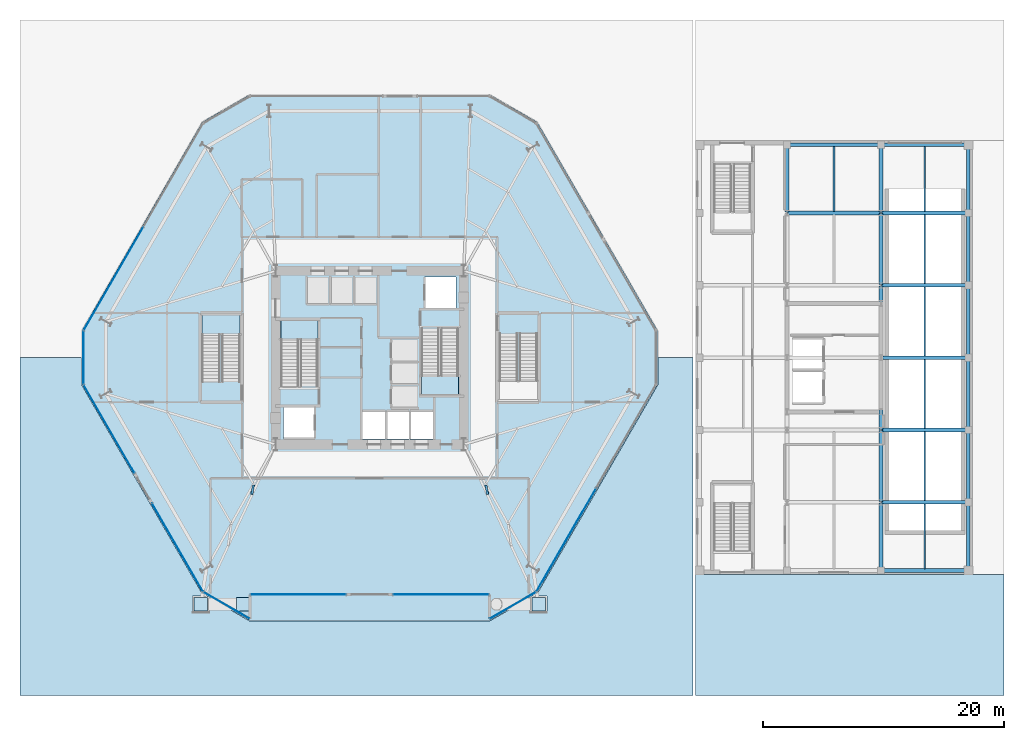
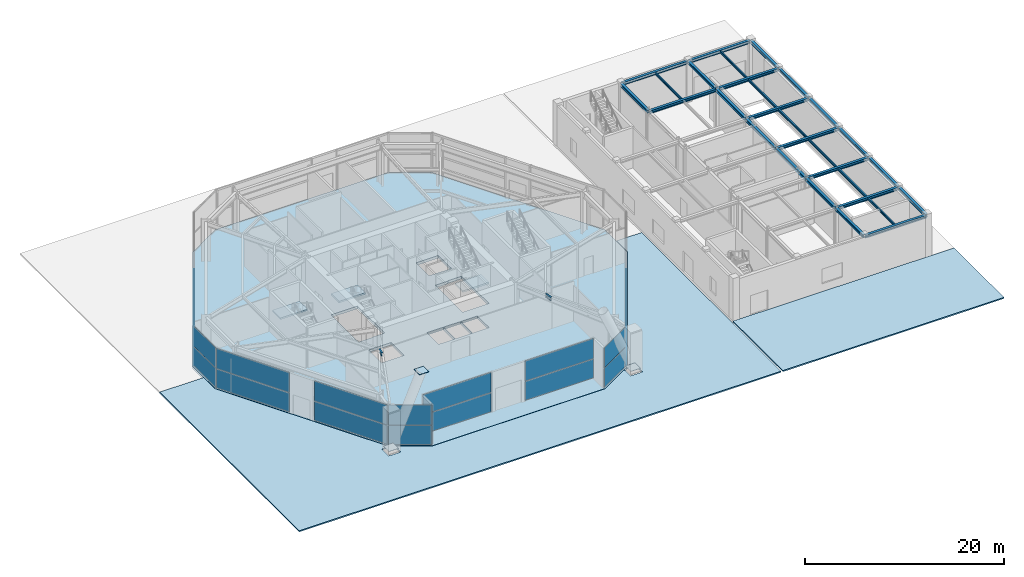
# One storey, part 15 of 26: 31 beams, 21 plates, 6 slabs, 12 elements without a shape of their own.
"""IFC4 building model written with IfcOpenShell, lengths in metres."""

from ifc_helpers import new_model, si_unit, direction, frame, origin, origin_2d, place, context, subcontext, project, spatial, polyline, rectangle, i_section, outline, extrude, material, layer, layer_set, material_profile, profile_set, type_object, element, aggregate, save


model = new_model("IFC4")

# Units and contexts
model_context = context("Model", 3, precision=1e-05, world=origin(), true_north=direction((0.0, 1.0)))
body_context = subcontext(model_context, "Body", "Model", "MODEL_VIEW")
ifc_project = project(units=[si_unit("LENGTHUNIT", "METRE"), si_unit("AREAUNIT", "SQUARE_METRE"), si_unit("VOLUMEUNIT", "CUBIC_METRE"), si_unit("PLANEANGLEUNIT", "RADIAN"), si_unit("MASSUNIT", "GRAM", prefix="KILO")], contexts=[model_context])

# Site, building, storey
site_placement = place(None, origin())
site = spatial("IfcSite", under=ifc_project, at=site_placement, CompositionType="ELEMENT")
building_placement = place(site_placement, origin())
building = spatial("IfcBuilding", under=site, at=building_placement, Name="Kranzbogen Civic Tower", CompositionType="ELEMENT")
storey_placement = place(building_placement, origin())
storey = spatial("IfcBuildingStorey", under=building, at=storey_placement, Name="L00", CompositionType="ELEMENT", Elevation=0.0)

# Beams
ifc_material_1 = material(Name="Steel S355", Category="steel")
ifc_material_profile_1 = material_profile(ifc_material_1, i_section(OverallWidth=0.300048828125, OverallDepth=0.360107421875, WebThickness=0.012451171875, FlangeThickness=0.0224609375, at=origin_2d()), Name="HEB 360")
ifc_profile_set_1 = profile_set([ifc_material_profile_1], Name="Steel S355")
beam_type_1 = type_object("IfcBeamType", Name="Health Centre Primary Floor Beam HEB 360", PredefinedType="BEAM", material=ifc_profile_set_1)
for number, where, z_axis, x_axis, name in (
    (1, (67.4599609375, 7.35009765625, 4.760009765625), (1.0, 0.0, 0.0), (0.0, 1.0, 0.0), "L00 Health Centre X girder 3-1"),
    (2, (67.4599609375, 13.0, 4.760009765625), (1.0, 0.0, 0.0), (0.0, 1.0, 0.0), "L00 Health Centre X girder 3-2"),
    (3, (67.4599609375, 19.0, 4.760009765625), (1.0, 0.0, 0.0), (0.0, 1.0, 0.0), "L00 Health Centre X girder 3-3"),
    (4, (67.4599609375, 25.0, 4.760009765625), (1.0, 0.0, 0.0), (0.0, 1.0, 0.0), "L00 Health Centre X girder 3-4"),
    (5, (67.4599609375, 31.0, 4.760009765625), (1.0, 0.0, 0.0), (0.0, 1.0, 0.0), "L00 Health Centre X girder 3-5"),
):
    element("IfcBeam", number, at=place(storey_placement, frame(where, z_axis=z_axis, x_axis=x_axis)), inside=storey, type_object=beam_type_1, Name=name, PredefinedType="BEAM", context=body_context, shape_type="SweptSolid", body=[
        extrude(i_section(OverallWidth=0.300048828125, OverallDepth=0.360107421875, WebThickness=0.012451171875, FlangeThickness=0.0224609375, at=origin_2d()), origin(), (0.0, 0.0, 1.0), 7.130126953125),
    ])
beam_1_placement = place(storey_placement, frame((59.659912109375, 37.0, 4.760009765625), z_axis=(1.0, 0.0, 0.0), x_axis=(0.0, 1.0, 0.0)))
element("IfcBeam", 6, at=beam_1_placement, inside=storey, type_object=beam_type_1, Name="L00 Health Centre X girder 2-6", PredefinedType="BEAM", context=body_context, shape_type="SweptSolid", body=[
    extrude(i_section(OverallWidth=0.300048828125, OverallDepth=0.360107421875, WebThickness=0.012451171875, FlangeThickness=0.0224609375, at=origin_2d()), origin(), (0.0, 0.0, 1.0), 7.68017578125),
])
beam_2_placement = place(storey_placement, frame((67.4599609375, 37.0, 4.760009765625), z_axis=(1.0, 0.0, 0.0), x_axis=(0.0, 1.0, 0.0)))
element("IfcBeam", 7, at=beam_2_placement, inside=storey, type_object=beam_type_1, Name="L00 Health Centre X girder 3-6", PredefinedType="BEAM", context=body_context, shape_type="SweptSolid", body=[
    extrude(i_section(OverallWidth=0.300048828125, OverallDepth=0.360107421875, WebThickness=0.012451171875, FlangeThickness=0.0224609375, at=origin_2d()), origin(), (0.0, 0.0, 1.0), 7.130126953125),
])
beam_3_placement = place(storey_placement, frame((59.659912109375, 42.64990234375, 4.760009765625), z_axis=(1.0, 0.0, 0.0), x_axis=(0.0, 1.0, 0.0)))
element("IfcBeam", 8, at=beam_3_placement, inside=storey, type_object=beam_type_1, Name="L00 Health Centre X girder 2-7", PredefinedType="BEAM", context=body_context, shape_type="SweptSolid", body=[
    extrude(i_section(OverallWidth=0.300048828125, OverallDepth=0.360107421875, WebThickness=0.012451171875, FlangeThickness=0.0224609375, at=origin_2d()), origin(), (0.0, 0.0, 1.0), 7.68017578125),
])
beam_4_placement = place(storey_placement, frame((67.4599609375, 42.64990234375, 4.760009765625), z_axis=(1.0, 0.0, 0.0), x_axis=(0.0, 1.0, 0.0)))
element("IfcBeam", 9, at=beam_4_placement, inside=storey, type_object=beam_type_1, Name="L00 Health Centre X girder 3-7", PredefinedType="BEAM", context=body_context, shape_type="SweptSolid", body=[
    extrude(i_section(OverallWidth=0.300048828125, OverallDepth=0.360107421875, WebThickness=0.012451171875, FlangeThickness=0.0224609375, at=origin_2d()), origin(), (0.0, 0.0, 1.0), 7.130126953125),
])
for number, where, z_axis, x_axis, name in (
    (10, (67.39990234375, 7.409912109375, 4.760009765625), (0.0, 1.0, 0.0), (-1.0, 0.0, 0.0), "L00 Health Centre Y girder 3-1"),
    (11, (74.64990234375, 7.409912109375, 4.760009765625), (0.0, 1.0, 0.0), (-1.0, 0.0, 0.0), "L00 Health Centre Y girder 4-1"),
):
    element("IfcBeam", number, at=place(storey_placement, frame(where, z_axis=z_axis, x_axis=x_axis)), inside=storey, type_object=beam_type_1, Name=name, PredefinedType="BEAM", context=body_context, shape_type="SweptSolid", body=[
        extrude(i_section(OverallWidth=0.300048828125, OverallDepth=0.360107421875, WebThickness=0.012451171875, FlangeThickness=0.0224609375, at=origin_2d()), origin(), (0.0, 0.0, 1.0), 5.530029296875),
    ])
for number, where, z_axis, x_axis, name in (
    (12, (67.39990234375, 13.06005859375, 4.760009765625), (0.0, 1.0, 0.0), (-1.0, 0.0, 0.0), "L00 Health Centre Y girder 3-2"),
    (13, (74.64990234375, 13.06005859375, 4.760009765625), (0.0, 1.0, 0.0), (-1.0, 0.0, 0.0), "L00 Health Centre Y girder 4-2"),
    (14, (67.39990234375, 19.06005859375, 4.760009765625), (0.0, 1.0, 0.0), (-1.0, 0.0, 0.0), "L00 Health Centre Y girder 3-3"),
    (15, (74.64990234375, 19.06005859375, 4.760009765625), (0.0, 1.0, 0.0), (-1.0, 0.0, 0.0), "L00 Health Centre Y girder 4-3"),
    (16, (67.39990234375, 25.06005859375, 4.760009765625), (0.0, 1.0, 0.0), (-1.0, 0.0, 0.0), "L00 Health Centre Y girder 3-4"),
    (17, (74.64990234375, 25.06005859375, 4.760009765625), (0.0, 1.0, 0.0), (-1.0, 0.0, 0.0), "L00 Health Centre Y girder 4-4"),
    (18, (67.39990234375, 31.06005859375, 4.760009765625), (0.0, 1.0, 0.0), (-1.0, 0.0, 0.0), "L00 Health Centre Y girder 3-5"),
    (19, (74.64990234375, 31.06005859375, 4.760009765625), (0.0, 1.0, 0.0), (-1.0, 0.0, 0.0), "L00 Health Centre Y girder 4-5"),
):
    element("IfcBeam", number, at=place(storey_placement, frame(where, z_axis=z_axis, x_axis=x_axis)), inside=storey, type_object=beam_type_1, Name=name, PredefinedType="BEAM", context=body_context, shape_type="SweptSolid", body=[
        extrude(i_section(OverallWidth=0.300048828125, OverallDepth=0.360107421875, WebThickness=0.012451171875, FlangeThickness=0.0224609375, at=origin_2d()), origin(), (0.0, 0.0, 1.0), 5.8798828125),
    ])
for number, where, z_axis, x_axis, name in (
    (20, (59.60009765625, 37.06005859375, 4.760009765625), (0.0, 1.0, 0.0), (-1.0, 0.0, 0.0), "L00 Health Centre Y girder 2-6"),
    (21, (67.39990234375, 37.06005859375, 4.760009765625), (0.0, 1.0, 0.0), (-1.0, 0.0, 0.0), "L00 Health Centre Y girder 3-6"),
    (22, (74.64990234375, 37.06005859375, 4.760009765625), (0.0, 1.0, 0.0), (-1.0, 0.0, 0.0), "L00 Health Centre Y girder 4-6"),
):
    element("IfcBeam", number, at=place(storey_placement, frame(where, z_axis=z_axis, x_axis=x_axis)), inside=storey, type_object=beam_type_1, Name=name, PredefinedType="BEAM", context=body_context, shape_type="SweptSolid", body=[
        extrude(i_section(OverallWidth=0.300048828125, OverallDepth=0.360107421875, WebThickness=0.012451171875, FlangeThickness=0.0224609375, at=origin_2d()), origin(), (0.0, 0.0, 1.0), 5.530029296875),
    ])
ifc_material_profile_2 = material_profile(ifc_material_1, i_section(OverallWidth=0.14990234375, OverallDepth=0.300048828125, WebThickness=0.007080078125, FlangeThickness=0.0107421875, at=origin_2d()), Name="IPE 300")
ifc_profile_set_2 = profile_set([ifc_material_profile_2], Name="Steel S355")
beam_type_2 = type_object("IfcBeamType", Name="Health Centre Secondary Joist IPE 300", PredefinedType="JOIST", material=ifc_profile_set_2)
beam_5_placement = place(storey_placement, frame((71.02490234375, 7.489990234375, 4.7900390625), z_axis=(0.0, 1.0, 0.0), x_axis=(-1.0, 0.0, 0.0)))
element("IfcBeam", 23, at=beam_5_placement, inside=storey, type_object=beam_type_2, Name="L00 Health Centre secondary joist 3-1", PredefinedType="JOIST", context=body_context, shape_type="SweptSolid", body=[
    extrude(i_section(OverallWidth=0.14990234375, OverallDepth=0.300048828125, WebThickness=0.007080078125, FlangeThickness=0.0107421875, at=origin_2d()), origin(), (0.0, 0.0, 1.0), 5.3701171875),
])
for number, where, z_axis, x_axis, name in (
    (24, (71.02490234375, 13.139892578125, 4.7900390625), (0.0, 1.0, 0.0), (-1.0, 0.0, 0.0), "L00 Health Centre secondary joist 3-2"),
    (25, (71.02490234375, 19.139892578125, 4.7900390625), (0.0, 1.0, 0.0), (-1.0, 0.0, 0.0), "L00 Health Centre secondary joist 3-3"),
    (26, (71.02490234375, 25.139892578125, 4.7900390625), (0.0, 1.0, 0.0), (-1.0, 0.0, 0.0), "L00 Health Centre secondary joist 3-4"),
    (27, (71.02490234375, 31.139892578125, 4.7900390625), (0.0, 1.0, 0.0), (-1.0, 0.0, 0.0), "L00 Health Centre secondary joist 3-5"),
):
    element("IfcBeam", number, at=place(storey_placement, frame(where, z_axis=z_axis, x_axis=x_axis)), inside=storey, type_object=beam_type_2, Name=name, PredefinedType="JOIST", context=body_context, shape_type="SweptSolid", body=[
        extrude(i_section(OverallWidth=0.14990234375, OverallDepth=0.300048828125, WebThickness=0.007080078125, FlangeThickness=0.0107421875, at=origin_2d()), origin(), (0.0, 0.0, 1.0), 5.72021484375),
    ])
for number, where, z_axis, x_axis, name in (
    (28, (63.5, 37.139892578125, 4.7900390625), (0.0, 1.0, 0.0), (-1.0, 0.0, 0.0), "L00 Health Centre secondary joist 2-6"),
    (29, (71.02490234375, 37.139892578125, 4.7900390625), (0.0, 1.0, 0.0), (-1.0, 0.0, 0.0), "L00 Health Centre secondary joist 3-6"),
):
    element("IfcBeam", number, at=place(storey_placement, frame(where, z_axis=z_axis, x_axis=x_axis)), inside=storey, type_object=beam_type_2, Name=name, PredefinedType="JOIST", context=body_context, shape_type="SweptSolid", body=[
        extrude(i_section(OverallWidth=0.14990234375, OverallDepth=0.300048828125, WebThickness=0.007080078125, FlangeThickness=0.0107421875, at=origin_2d()), origin(), (0.0, 0.0, 1.0), 5.3701171875),
    ])
ifc_material_profile_3 = material_profile(ifc_material_1, i_section(OverallWidth=0.179931640625, OverallDepth=0.39990234375, WebThickness=0.008544921875, FlangeThickness=0.013427734375, at=origin_2d()), Name="IPE 400")
ifc_profile_set_3 = profile_set([ifc_material_profile_3], Name="Steel S355")
beam_type_3 = type_object("IfcBeamType", Name="Secondary Composite Floor Joist IPE 400", PredefinedType="JOIST", material=ifc_profile_set_3)
for number, where, z_axis, x_axis, name in (
    (30, (15.35400390625, 14.43603515625, 4.739990234375), (-0.156102387059, -0.987740879358, 0.0), (0.987740879358, -0.156102387059, 0.0), "L00 secondary floor joist 2.02"),
    (31, (34.77197265625, 13.638916015625, 4.739990234375), (-0.156102387059, 0.987740879358, 0.0), (-0.987740879358, -0.156102387059, 0.0), "L00 secondary floor joist 2.04"),
):
    element("IfcBeam", number, at=place(storey_placement, frame(where, z_axis=z_axis, x_axis=x_axis)), inside=storey, type_object=beam_type_3, Name=name, PredefinedType="JOIST", context=body_context, shape_type="SweptSolid", body=[
        extrude(i_section(OverallWidth=0.179931640625, OverallDepth=0.39990234375, WebThickness=0.008544921875, FlangeThickness=0.013427734375, at=origin_2d()), origin(), (0.0, 0.0, 1.0), 0.80712890625),
    ])

# Slabs
ifc_material_2 = material(Name="Precast concrete C40/50", Category="concrete")
ifc_layer_1 = layer(ifc_material_2, 0.14990234375, Name="Precast concrete C40/50")
ifc_layer_set_1 = layer_set([ifc_layer_1], Name="Precast concrete C40/50")
slab_type_1 = type_object("IfcSlabType", Name="Civic Plaza Granite Paving Slab 150 mm", PredefinedType="USERDEFINED", material=ifc_layer_set_1)
slab_1_placement = place(storey_placement, frame((0.0, 0.0, -0.14990234375)))
element("IfcSlab", 32, at=slab_1_placement, inside=storey, type_object=slab_type_1, Name="L00 South-West public civic plaza paving 1", ObjectType="PAVING", PredefinedType="USERDEFINED", context=body_context, shape_type="SweptSolid", body=[
    extrude(outline(polyline([(48.89306640625, 25.0), (48.89306640625, 22.75), (48.89306640625, 22.748046875), (48.89306640625, 22.74609375), (48.89208984375, 22.743896484375), (48.89111328125, 22.741943359375), (48.889892578125, 22.739990234375), (38.902099609375, 5.43994140625), (38.90087890625, 5.43798828125), (38.89990234375, 5.43701171875), (38.89794921875, 5.43505859375), (38.89697265625, 5.43408203125), (38.89501953125, 5.43310546875), (38.5791015625, 5.25), (39.699951171875, 5.25), (39.699951171875, 3.85009765625), (38.300048828125, 3.85009765625), (38.300048828125, 5.089111328125), (34.998046875, 3.18310546875), (34.99609375, 3.181884765625), (34.993896484375, 3.180908203125), (34.991943359375, 3.179931640625), (34.989990234375, 3.179931640625), (34.988037109375, 3.179931640625), (15.011962890625, 3.179931640625), (15.010009765625, 3.179931640625), (15.008056640625, 3.179931640625), (15.006103515625, 3.180908203125), (15.00390625, 3.181884765625), (15.001953125, 3.18310546875), (11.699951171875, 5.089111328125), (11.699951171875, 3.85009765625), (10.300048828125, 3.85009765625), (10.300048828125, 5.25), (11.4208984375, 5.25), (11.10498046875, 5.43310546875), (11.10302734375, 5.43408203125), (11.10205078125, 5.43505859375), (11.10009765625, 5.43701171875), (11.09912109375, 5.43798828125), (11.097900390625, 5.43994140625), (1.110107421875, 22.739990234375), (1.10888671875, 22.741943359375), (1.10791015625, 22.743896484375), (1.10693359375, 22.74609375), (1.10693359375, 22.748046875), (1.10693359375, 22.75), (1.10693359375, 25.0), (-4.0, 25.0), (-4.0, -3.0), (51.800048828125, -3.0), (51.800048828125, 25.0), (48.89306640625, 25.0)])), origin(), (0.0, 0.0, 1.0), 0.14990234375),
])
slab_2_placement = place(storey_placement, frame((0.0, 0.0, -0.14990234375)))
element("IfcSlab", 33, at=slab_2_placement, inside=storey, type_object=slab_type_1, Name="L00 South-East public civic plaza paving 3", ObjectType="PAVING", PredefinedType="USERDEFINED", context=body_context, shape_type="SweptSolid", body=[
    extrude(outline(polyline([(77.60009765625, -3.0), (77.60009765625, 7.0), (52.0, 7.0), (52.0, -3.0), (77.60009765625, -3.0)])), origin(), (0.0, 0.0, 1.0), 0.14990234375),
])
ifc_material_3 = material(Name="Concrete C40/50", Category="concrete")
ifc_layer_2 = layer(ifc_material_3, 0.320068359375, Name="Concrete C40/50")
ifc_layer_set_2 = layer_set([ifc_layer_2], Name="Concrete C40/50")
slab_type_2 = type_object("IfcSlabType", Name="Composite Heavy Plaza and Car Park Slab 320 mm", PredefinedType="FLOOR", material=ifc_layer_set_2)
slab_3_placement = place(storey_placement, frame((0.0, 0.0, -0.320068359375)))
element("IfcSlab", 34, at=slab_3_placement, inside=storey, type_object=slab_type_2, Name="L00 tower floor slab", PredefinedType="FLOOR", context=body_context, shape_type="SweptSolid", body=[
    extrude(outline(polyline([(48.873046875, 27.25), (38.885009765625, 44.550048828125), (34.988037109375, 46.800048828125), (15.011962890625, 46.800048828125), (11.114990234375, 44.550048828125), (1.126953125, 27.25), (1.126953125, 22.75), (11.114990234375, 5.449951171875), (15.011962890625, 3.199951171875), (34.988037109375, 3.199951171875), (38.885009765625, 5.449951171875), (48.873046875, 22.75), (48.873046875, 27.25)]), holes=[polyline([(26.300048828125, 20.60009765625), (26.300048828125, 18.25), (24.39990234375, 18.25), (24.39990234375, 20.60009765625), (26.300048828125, 20.60009765625)]), polyline([(28.27490234375, 20.60009765625), (28.27490234375, 18.25), (26.375, 18.25), (26.375, 20.60009765625), (28.27490234375, 20.60009765625)]), polyline([(30.25, 20.60009765625), (30.25, 18.25), (28.35009765625, 18.25), (28.35009765625, 20.60009765625), (30.25, 20.60009765625)]), polyline([(20.449951171875, 18.300048828125), (17.85009765625, 18.300048828125), (17.85009765625, 20.89990234375), (20.449951171875, 20.89990234375), (20.449951171875, 18.300048828125)]), polyline([(30.75, 27.340087890625), (30.75, 27.39990234375), (32.35009765625, 27.39990234375), (32.35009765625, 21.89990234375), (29.300048828125, 21.89990234375), (29.300048828125, 27.340087890625), (30.75, 27.340087890625)]), polyline([(20.699951171875, 22.659912109375), (19.25, 22.659912109375), (19.25, 22.60009765625), (17.64990234375, 22.60009765625), (17.64990234375, 28.10009765625), (20.699951171875, 28.10009765625), (20.699951171875, 22.659912109375)]), polyline([(32.14990234375, 29.10009765625), (29.550048828125, 29.10009765625), (29.550048828125, 31.699951171875), (32.14990234375, 31.699951171875), (32.14990234375, 29.10009765625)])]), origin(), (0.0, 0.0, 1.0), 0.320068359375),
])

# Curtain wall, plates
ifc_material_4 = material(Name="Pale Anodised Aluminium", Category="aluminium")
ifc_layer_3 = layer(ifc_material_4, 0.219970703125, Name="Pale Anodised Aluminium")
ifc_layer_set_3 = layer_set([ifc_layer_3], Name="Pale Anodised Aluminium")
curtain_wall_type_1 = type_object("IfcCurtainWallType", Name="Chamfer Facet Stick Curtain Wall System CW-06", PredefinedType="USERDEFINED", material=ifc_layer_set_3)
curtain_wall_1_placement = place(storey_placement, origin())
curtain_wall_1 = element("IfcCurtainWall", 35, at=curtain_wall_1_placement, inside=storey, type_object=curtain_wall_type_1, Name="L00 curtain wall CW-L00-C3", ObjectType="STICK CURTAIN WALL", PredefinedType="USERDEFINED")
ifc_material_5 = material(Name="Low-E Triple Glazing Glass", Category="glass")
ifc_layer_4 = layer(ifc_material_5, 0.02587890625, Name="Low-E Triple Glazing Glass")
ifc_layer_set_4 = layer_set([ifc_layer_4], Name="Low-E Triple Glazing Glass")
plate_type_1 = type_object("IfcPlateType", Name="Insulated Low-E Glazing Panel 26 mm", PredefinedType="CURTAIN_PANEL", material=ifc_layer_set_4)
plate_1_placement = place(storey_placement, frame((1.26611328125, 25.0, 0.06005859375), z_axis=(0.0, 0.0, 1.0), x_axis=(0.0, -1.0, 0.0)))
plate_1 = element("IfcPlate", 36, at=plate_1_placement, type_object=plate_type_1, Name="CW-06 panel 1.1", PredefinedType="CURTAIN_PANEL", context=body_context, shape_type="SweptSolid", body=[
    extrude(rectangle(XDim=4.35400390625, YDim=0.028076171875, at=origin_2d()), origin(), (0.0, 0.0, 1.0), 2.31005859375),
])
plate_2_placement = place(storey_placement, frame((1.26611328125, 25.0, 2.43017578125), z_axis=(0.0, 0.0, 1.0), x_axis=(0.0, -1.0, 0.0)))
plate_2 = element("IfcPlate", 37, at=plate_2_placement, type_object=plate_type_1, Name="CW-06 panel 1.2", PredefinedType="CURTAIN_PANEL", context=body_context, shape_type="SweptSolid", body=[
    extrude(rectangle(XDim=4.35400390625, YDim=0.028076171875, at=origin_2d()), origin(), (0.0, 0.0, 1.0), 2.449951171875),
])
aggregate(curtain_wall_1, [plate_1, plate_2])

curtain_wall_2_placement = place(storey_placement, origin())
curtain_wall_2 = element("IfcCurtainWall", 38, at=curtain_wall_2_placement, inside=storey, type_object=curtain_wall_type_1, Name="L00 curtain wall CW-L00-C4", ObjectType="STICK CURTAIN WALL", PredefinedType="USERDEFINED")
plate_3_placement = place(storey_placement, frame((13.133056640625, 4.445556640625, 0.06005859375), z_axis=(0.0, 0.0, 1.0), x_axis=(0.865992001897, -0.500057849305, 0.0)))
plate_3 = element("IfcPlate", 39, at=plate_3_placement, type_object=plate_type_1, Name="CW-06 panel 1.1", PredefinedType="CURTAIN_PANEL", context=body_context, shape_type="SweptSolid", body=[
    extrude(rectangle(XDim=4.353515625, YDim=0.028076171875, at=origin_2d()), origin(), (0.0, 0.0, 1.0), 2.31005859375),
])
plate_4_placement = place(storey_placement, frame((13.133056640625, 4.445556640625, 2.43017578125), z_axis=(0.0, 0.0, 1.0), x_axis=(0.865992001897, -0.500057849305, 0.0)))
plate_4 = element("IfcPlate", 40, at=plate_4_placement, type_object=plate_type_1, Name="CW-06 panel 1.2", PredefinedType="CURTAIN_PANEL", context=body_context, shape_type="SweptSolid", body=[
    extrude(rectangle(XDim=4.353515625, YDim=0.028076171875, at=origin_2d()), origin(), (0.0, 0.0, 1.0), 2.449951171875),
])
aggregate(curtain_wall_2, [plate_3, plate_4])

curtain_wall_3_placement = place(storey_placement, origin())
curtain_wall_3 = element("IfcCurtainWall", 41, at=curtain_wall_3_placement, inside=storey, type_object=curtain_wall_type_1, Name="L00 curtain wall CW-L00-C5", ObjectType="STICK CURTAIN WALL", PredefinedType="USERDEFINED")
plate_5_placement = place(storey_placement, frame((36.866943359375, 4.445556640625, 0.06005859375), z_axis=(0.0, 0.0, 1.0), x_axis=(0.865992001897, 0.500057849305, 0.0)))
plate_5 = element("IfcPlate", 42, at=plate_5_placement, type_object=plate_type_1, Name="CW-06 panel 1.1", PredefinedType="CURTAIN_PANEL", context=body_context, shape_type="SweptSolid", body=[
    extrude(rectangle(XDim=4.353515625, YDim=0.028076171875, at=origin_2d()), origin(), (0.0, 0.0, 1.0), 2.31005859375),
])
plate_6_placement = place(storey_placement, frame((36.866943359375, 4.445556640625, 2.43017578125), z_axis=(0.0, 0.0, 1.0), x_axis=(0.865992001897, 0.500057849305, 0.0)))
plate_6 = element("IfcPlate", 43, at=plate_6_placement, type_object=plate_type_1, Name="CW-06 panel 1.2", PredefinedType="CURTAIN_PANEL", context=body_context, shape_type="SweptSolid", body=[
    extrude(rectangle(XDim=4.353515625, YDim=0.028076171875, at=origin_2d()), origin(), (0.0, 0.0, 1.0), 2.449951171875),
])
aggregate(curtain_wall_3, [plate_5, plate_6])

ifc_layer_5 = layer(ifc_material_4, 0.219970703125, Name="Pale Anodised Aluminium")
ifc_layer_set_5 = layer_set([ifc_layer_5], Name="Pale Anodised Aluminium")
curtain_wall_type_2 = type_object("IfcCurtainWallType", Name="Podium Stick Curtain Wall System CW-01", PredefinedType="USERDEFINED", material=ifc_layer_set_5)
curtain_wall_4_placement = place(storey_placement, origin())
curtain_wall_4 = element("IfcCurtainWall", 44, at=curtain_wall_4_placement, inside=storey, type_object=curtain_wall_type_2, Name="L00 curtain wall CW-L00-F3", ObjectType="STICK CURTAIN WALL", PredefinedType="USERDEFINED")
ifc_layer_6 = layer(ifc_material_5, 0.035888671875, Name="Low-E Triple Glazing Glass")
ifc_layer_set_6 = layer_set([ifc_layer_6], Name="Low-E Triple Glazing Glass")
plate_type_2 = type_object("IfcPlateType", Name="Insulated Low-E Glazing Panel 36 mm", PredefinedType="CURTAIN_PANEL", material=ifc_layer_set_6)
plate_7_placement = place(storey_placement, frame((3.756103515625, 31.5498046875, 0.06005859375), z_axis=(0.0, 0.0, 1.0), x_axis=(-0.500005767433, -0.86602207393, 0.0)))
plate_7 = element("IfcPlate", 45, at=plate_7_placement, type_object=plate_type_2, Name="CW-01 panel 2.1", PredefinedType="CURTAIN_PANEL", context=body_context, shape_type="SweptSolid", body=[
    extrude(rectangle(XDim=9.83984375, YDim=0.028076171875, at=origin_2d()), origin(), (0.0, 0.0, 1.0), 2.31005859375),
])
plate_8_placement = place(storey_placement, frame((3.756103515625, 31.5498046875, 2.43017578125), z_axis=(0.0, 0.0, 1.0), x_axis=(-0.500005767433, -0.86602207393, 0.0)))
plate_8 = element("IfcPlate", 46, at=plate_8_placement, type_object=plate_type_2, Name="CW-01 panel 2.2", PredefinedType="CURTAIN_PANEL", context=body_context, shape_type="SweptSolid", body=[
    extrude(rectangle(XDim=9.83984375, YDim=0.028076171875, at=origin_2d()), origin(), (0.0, 0.0, 1.0), 2.449951171875),
])
aggregate(curtain_wall_4, [plate_7, plate_8])

curtain_wall_5_placement = place(storey_placement, origin())
curtain_wall_5 = element("IfcCurtainWall", 47, at=curtain_wall_5_placement, inside=storey, type_object=curtain_wall_type_2, Name="L00 curtain wall CW-L00-F4-S1", ObjectType="STICK CURTAIN WALL", PredefinedType="USERDEFINED")
plate_9_placement = place(storey_placement, frame((3.3984375, 19.069580078125, 0.06005859375), z_axis=(0.0, 0.0, 1.0), x_axis=(0.500009985053, -0.866019638835, 0.0)))
plate_9 = element("IfcPlate", 48, at=plate_9_placement, type_object=plate_type_2, Name="CW-01 panel 1.1", PredefinedType="CURTAIN_PANEL", context=body_context, shape_type="SweptSolid", body=[
    extrude(rectangle(XDim=8.409912109375, YDim=0.028076171875, at=origin_2d()), origin(), (0.0, 0.0, 1.0), 2.31005859375),
])
plate_10_placement = place(storey_placement, frame((3.3984375, 19.069580078125, 2.43017578125), z_axis=(0.0, 0.0, 1.0), x_axis=(0.500009985053, -0.866019638835, 0.0)))
plate_10 = element("IfcPlate", 49, at=plate_10_placement, type_object=plate_type_2, Name="CW-01 panel 1.2", PredefinedType="CURTAIN_PANEL", context=body_context, shape_type="SweptSolid", body=[
    extrude(rectangle(XDim=8.409912109375, YDim=0.028076171875, at=origin_2d()), origin(), (0.0, 0.0, 1.0), 2.449951171875),
])
aggregate(curtain_wall_5, [plate_9, plate_10])

curtain_wall_6_placement = place(storey_placement, origin())
curtain_wall_6 = element("IfcCurtainWall", 50, at=curtain_wall_6_placement, inside=storey, type_object=curtain_wall_type_2, Name="L00 curtain wall CW-L00-F4-S2", ObjectType="STICK CURTAIN WALL", PredefinedType="USERDEFINED")
plate_11_placement = place(storey_placement, frame((9.0634765625, 9.257568359375, 0.06005859375), z_axis=(0.0, 0.0, 1.0), x_axis=(0.500009985053, -0.866019638835, 0.0)))
plate_11 = element("IfcPlate", 51, at=plate_11_placement, type_object=plate_type_2, Name="CW-01 panel 1.1", PredefinedType="CURTAIN_PANEL", context=body_context, shape_type="SweptSolid", body=[
    extrude(rectangle(XDim=8.409912109375, YDim=0.028076171875, at=origin_2d()), origin(), (0.0, 0.0, 1.0), 2.31005859375),
])
plate_12_placement = place(storey_placement, frame((9.0634765625, 9.257568359375, 2.43017578125), z_axis=(0.0, 0.0, 1.0), x_axis=(0.500009985053, -0.866019638835, 0.0)))
plate_12 = element("IfcPlate", 52, at=plate_12_placement, type_object=plate_type_2, Name="CW-01 panel 1.2", PredefinedType="CURTAIN_PANEL", context=body_context, shape_type="SweptSolid", body=[
    extrude(rectangle(XDim=8.409912109375, YDim=0.028076171875, at=origin_2d()), origin(), (0.0, 0.0, 1.0), 2.449951171875),
])
aggregate(curtain_wall_6, [plate_11, plate_12])

curtain_wall_7_placement = place(storey_placement, origin())
curtain_wall_7 = element("IfcCurtainWall", 53, at=curtain_wall_7_placement, inside=storey, type_object=curtain_wall_type_2, Name="L00 curtain wall CW-L00-F5-S1", ObjectType="STICK CURTAIN WALL", PredefinedType="USERDEFINED")
plate_13_placement = place(storey_placement, frame((19.0849609375, 5.35009765625, 0.06005859375), z_axis=(0.0, 0.0, 1.0), x_axis=(1.0, 0.0, 0.0)))
plate_13 = element("IfcPlate", 54, at=plate_13_placement, type_object=plate_type_2, Name="CW-01 panel 1.1", PredefinedType="CURTAIN_PANEL", context=body_context, shape_type="SweptSolid", body=[
    extrude(rectangle(XDim=7.909912109375, YDim=0.028076171875, at=origin_2d()), origin(), (0.0, 0.0, 1.0), 2.31005859375),
])
plate_14_placement = place(storey_placement, frame((19.0849609375, 5.35009765625, 2.43017578125), z_axis=(0.0, 0.0, 1.0), x_axis=(1.0, 0.0, 0.0)))
plate_14 = element("IfcPlate", 55, at=plate_14_placement, type_object=plate_type_2, Name="CW-01 panel 1.2", PredefinedType="CURTAIN_PANEL", context=body_context, shape_type="SweptSolid", body=[
    extrude(rectangle(XDim=7.909912109375, YDim=0.028076171875, at=origin_2d()), origin(), (0.0, 0.0, 1.0), 2.449951171875),
])
aggregate(curtain_wall_7, [plate_13, plate_14])

curtain_wall_8_placement = place(storey_placement, origin())
curtain_wall_8 = element("IfcCurtainWall", 56, at=curtain_wall_8_placement, inside=storey, type_object=curtain_wall_type_2, Name="L00 curtain wall CW-L00-F5-S2", ObjectType="STICK CURTAIN WALL", PredefinedType="USERDEFINED")
plate_15_placement = place(storey_placement, frame((30.9150390625, 5.35009765625, 0.06005859375), z_axis=(0.0, 0.0, 1.0), x_axis=(1.0, 0.0, 0.0)))
plate_15 = element("IfcPlate", 57, at=plate_15_placement, type_object=plate_type_2, Name="CW-01 panel 1.1", PredefinedType="CURTAIN_PANEL", context=body_context, shape_type="SweptSolid", body=[
    extrude(rectangle(XDim=7.909912109375, YDim=0.028076171875, at=origin_2d()), origin(), (0.0, 0.0, 1.0), 2.31005859375),
])
plate_16_placement = place(storey_placement, frame((30.9150390625, 5.35009765625, 2.43017578125), z_axis=(0.0, 0.0, 1.0), x_axis=(1.0, 0.0, 0.0)))
plate_16 = element("IfcPlate", 58, at=plate_16_placement, type_object=plate_type_2, Name="CW-01 panel 1.2", PredefinedType="CURTAIN_PANEL", context=body_context, shape_type="SweptSolid", body=[
    extrude(rectangle(XDim=7.909912109375, YDim=0.028076171875, at=origin_2d()), origin(), (0.0, 0.0, 1.0), 2.449951171875),
])
aggregate(curtain_wall_8, [plate_15, plate_16])

curtain_wall_9_placement = place(storey_placement, origin())
curtain_wall_9 = element("IfcCurtainWall", 59, at=curtain_wall_9_placement, inside=storey, type_object=curtain_wall_type_2, Name="L00 curtain wall CW-L00-F6", ObjectType="STICK CURTAIN WALL", PredefinedType="USERDEFINED")
plate_17_placement = place(storey_placement, frame((41.2939453125, 9.876708984375, 0.06005859375), z_axis=(0.0, 0.0, 1.0), x_axis=(0.500005767433, 0.86602207393, 0.0)))
plate_17 = element("IfcPlate", 60, at=plate_17_placement, type_object=plate_type_2, Name="CW-01 panel 1.1", PredefinedType="CURTAIN_PANEL", context=body_context, shape_type="SweptSolid", body=[
    extrude(rectangle(XDim=9.83984375, YDim=0.028076171875, at=origin_2d()), origin(), (0.0, 0.0, 1.0), 2.31005859375),
])
plate_18_placement = place(storey_placement, frame((41.2939453125, 9.876708984375, 2.43017578125), z_axis=(0.0, 0.0, 1.0), x_axis=(0.500005767433, 0.86602207393, 0.0)))
plate_18 = element("IfcPlate", 61, at=plate_18_placement, type_object=plate_type_2, Name="CW-01 panel 1.2", PredefinedType="CURTAIN_PANEL", context=body_context, shape_type="SweptSolid", body=[
    extrude(rectangle(XDim=9.83984375, YDim=0.028076171875, at=origin_2d()), origin(), (0.0, 0.0, 1.0), 2.449951171875),
])
aggregate(curtain_wall_9, [plate_17, plate_18])

# Plates
ifc_material_6 = material(Name="Steel S460", Category="steel")
ifc_layer_7 = layer(ifc_material_6, 0.034912109375, Name="Steel S460")
ifc_layer_set_7 = layer_set([ifc_layer_7], Name="Steel S460")
plate_type_3 = type_object("IfcPlateType", Name="Portal Arch Sealed End Cap Plate 1120x1120x35", PredefinedType="SHEET", material=ifc_layer_set_7)
for number, where, z_axis, x_axis, name in (
    (62, (10.992919921875, 4.550048828125, 0.36669921875), (0.0, 0.0, 1.0), (1.0, 0.0, 0.0), "ARC-1: Giant South Portal Arch rib segment 1 end cap 1"),
    (63, (14.507080078125, 4.550048828125, 8.53662109375), (0.0, 0.0, 1.0), (1.0, 0.0, 0.0), "ARC-1: Giant South Portal Arch rib segment 1 end cap 2"),
    (64, (39.007080078125, 4.550048828125, 0.36669921875), (0.0, 0.0, 1.0), (1.0, 0.0, 0.0), "ARC-1: Giant South Portal Arch rib segment 8 end cap 2"),
):
    element("IfcPlate", number, at=place(storey_placement, frame(where, z_axis=z_axis, x_axis=x_axis)), inside=storey, type_object=plate_type_3, Name=name, PredefinedType="SHEET", context=body_context, shape_type="SweptSolid", body=[
        extrude(rectangle(XDim=1.1201171875, YDim=1.1201171875, at=origin_2d()), origin(), (0.0, 0.0, 1.0), 0.034912109375),
    ])

# Stair, slab
stair_type_1 = type_object("IfcStairType", Name="Tower Core Pressurized Dogleg Stair 1450", PredefinedType="HALF_TURN_STAIR", material=ifc_material_2)
stair_1_placement = place(storey_placement, origin())
stair_1 = element("IfcStair", 65, at=stair_1_placement, inside=storey, type_object=stair_type_1, Name="L00 Tower Core Pressurized Stair 1", PredefinedType="HALF_TURN_STAIR")
ifc_layer_8 = layer(ifc_material_2, 0.199951171875, Name="Precast concrete C40/50")
ifc_layer_set_8 = layer_set([ifc_layer_8], Name="Precast concrete C40/50")
slab_type_3 = type_object("IfcSlabType", Name="Precast Concrete Stair Landing Slab 200 mm", PredefinedType="LANDING", material=ifc_layer_set_8)
slab_4_placement = place(storey_placement, frame((0.0, 0.0, 2.39990234375)))
slab_4 = element("IfcSlab", 66, at=slab_4_placement, type_object=slab_type_3, Name="ST-T1 landing 1", PredefinedType="LANDING", context=body_context, shape_type="SweptSolid", body=[
    extrude(outline(polyline([(20.699951171875, 26.52001953125), (20.699951171875, 28.10009765625), (17.64990234375, 28.10009765625), (17.64990234375, 26.52001953125), (20.699951171875, 26.52001953125)])), origin(), (0.0, 0.0, 1.0), 0.2001953125),
])
aggregate(stair_1, [slab_4])

stair_type_2 = type_object("IfcStairType", Name="Tower Core Secondary Dogleg Stair 1450", PredefinedType="HALF_TURN_STAIR", material=ifc_material_2)
stair_2_placement = place(storey_placement, origin())
stair_2 = element("IfcStair", 67, at=stair_2_placement, inside=storey, type_object=stair_type_2, Name="L00 Tower Core Pressurized Stair 2", PredefinedType="HALF_TURN_STAIR")
slab_5_placement = place(storey_placement, frame((0.0, 0.0, 2.39990234375)))
slab_5 = element("IfcSlab", 68, at=slab_5_placement, type_object=slab_type_3, Name="ST-T2 landing 1", PredefinedType="LANDING", context=body_context, shape_type="SweptSolid", body=[
    extrude(outline(polyline([(29.300048828125, 23.47998046875), (29.300048828125, 21.89990234375), (32.35009765625, 21.89990234375), (32.35009765625, 23.47998046875), (29.300048828125, 23.47998046875)])), origin(), (0.0, 0.0, 1.0), 0.2001953125),
])
aggregate(stair_2, [slab_5])

stair_type_3 = type_object("IfcStairType", Name="Podium Assembly Dogleg Stair 1500", PredefinedType="HALF_TURN_STAIR", material=ifc_material_2)
stair_3_placement = place(storey_placement, origin())
stair_3 = element("IfcStair", 69, at=stair_3_placement, inside=storey, type_object=stair_type_3, Name="L00 Podium Assembly Stair West", PredefinedType="HALF_TURN_STAIR")
slab_6_placement = place(storey_placement, frame((0.0, 0.0, 2.39990234375)))
slab_6 = element("IfcSlab", 70, at=slab_6_placement, type_object=slab_type_3, Name="ST-P1 landing 1", PredefinedType="LANDING", context=body_context, shape_type="SweptSolid", body=[
    extrude(outline(polyline([(14.25, 26.919921875), (14.25, 28.550048828125), (11.10009765625, 28.550048828125), (11.10009765625, 26.919921875), (14.25, 26.919921875)])), origin(), (0.0, 0.0, 1.0), 0.2001953125),
])
aggregate(stair_3, [slab_6])

save(model, "model.ifc")
